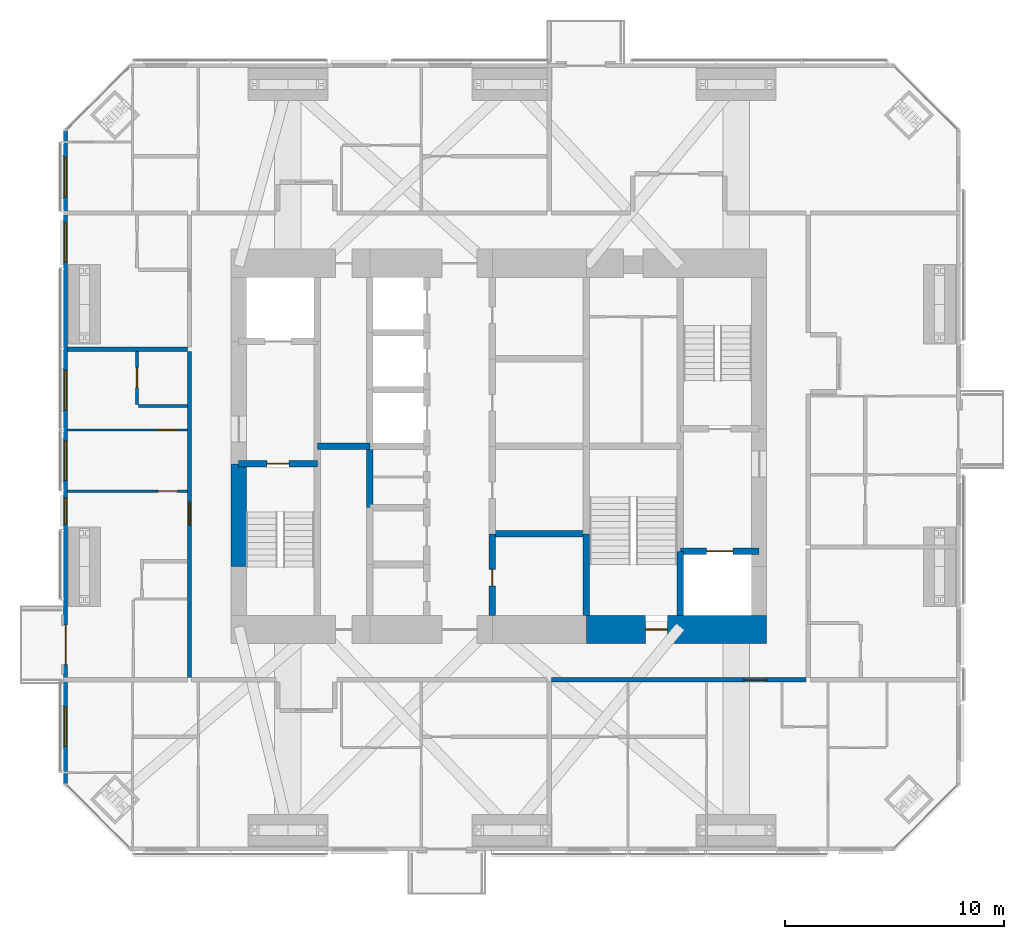
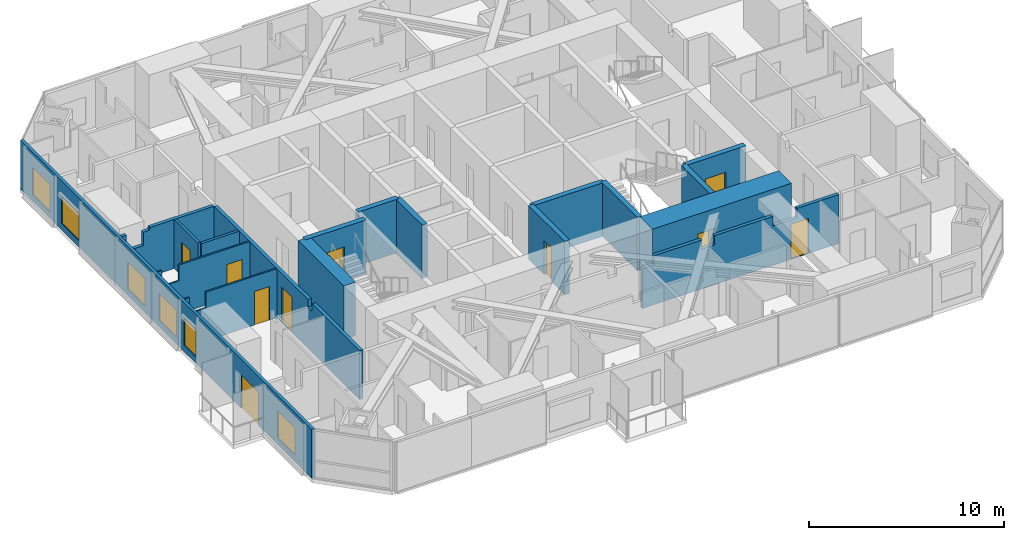
# One storey, part 17 of 22: 18 walls, 10 doors, 6 windows, 16 openings.
"""IFC4 building model written with IfcOpenShell, lengths in metres."""

import ifcopenshell
import ifcopenshell.guid

model = None  # the IFC model being written
_history = None  # IfcOwnerHistory: only IFC2X3 demands one
_inside = {}  # id of a spatial element -> (the spatial element, [elements in it])
_under = {}  # id of a project, library or spatial element -> (it, [spatial elements below it])
_declared = {}  # id of a project -> (the project, [libraries it declares])
_typed = {}  # id of a type object -> (the type object, [elements of that type])
_made_of = {}  # id of a material, layer set ... -> (it, [elements and type objects made of it])


def new_model(schema):
    """Start an empty IFC model of exactly this schema.

    Asked for "IFC4X3", IfcOpenShell would pick the latest addendum, in which some entities
    have other attributes; the version numbers below select the first issue.
    IFC2X3 requires an IfcOwnerHistory on every rooted entity: one is made here for all.
    """
    global model, _history
    if schema == "IFC4X3":
        model = ifcopenshell.file(schema_version=(4, 3, 0, 0))
    else:
        model = ifcopenshell.file(schema=schema)
    _inside.clear()
    _under.clear()
    _declared.clear()
    _typed.clear()
    _made_of.clear()
    _history = None
    if model.schema == "IFC2X3":
        org = make("IfcOrganization", Name="unknown")
        user = make(
            "IfcPersonAndOrganization",
            ThePerson=make("IfcPerson", FamilyName="unknown"),
            TheOrganization=org,
        )
        app = make(
            "IfcApplication",
            ApplicationDeveloper=org,
            Version="unknown",
            ApplicationFullName="unknown",
            ApplicationIdentifier="unknown",
        )
        _history = make(
            "IfcOwnerHistory",
            OwningUser=user,
            OwningApplication=app,
            ChangeAction="ADDED",
            CreationDate=0,
        )
    return model


def make(cls, **values):
    """One entity of the class cls with the attributes given. An attribute that is None is left unset."""
    return model.create_entity(
        cls, **{name: value for name, value in values.items() if value is not None}
    )


def rooted(cls, **values):
    """An entity with a GlobalId (a new one), such as an element, a storey or a relation."""
    return make(cls, GlobalId=ifcopenshell.guid.new(), OwnerHistory=_history, **values)


def si_unit(unit_type, name, prefix=None):
    """IfcSIUnit, for example si_unit("LENGTHUNIT", "METRE", prefix="MILLI")."""
    return make("IfcSIUnit", UnitType=unit_type, Prefix=prefix, Name=name)


def assignment(units):
    """IfcUnitAssignment: the units of a project."""
    return None if units is None else make("IfcUnitAssignment", Units=units)


def point(xyz):
    """IfcCartesianPoint."""
    return None if xyz is None else make("IfcCartesianPoint", Coordinates=xyz)


def direction(xyz):
    """IfcDirection."""
    return None if xyz is None else make("IfcDirection", DirectionRatios=xyz)


def frame(location, z_axis=None, x_axis=None):
    """IfcAxis2Placement3D, a coordinate frame: its origin and axes. An axis left out is left unset."""
    return make(
        "IfcAxis2Placement3D",
        Location=point(location),
        Axis=direction(z_axis),
        RefDirection=direction(x_axis),
    )


def frame_2d(location, x_axis=None):
    """IfcAxis2Placement2D, a coordinate frame in the plane: its origin and x axis."""
    return make(
        "IfcAxis2Placement2D", Location=point(location), RefDirection=direction(x_axis)
    )


def origin():
    """The frame at (0, 0, 0) with its axes left unset."""
    return frame((0.0, 0.0, 0.0))


def place(relative_to, where):
    """IfcLocalPlacement: puts the frame where relative to a parent placement (None: the world)."""
    return make(
        "IfcLocalPlacement", PlacementRelTo=relative_to, RelativePlacement=where
    )


def context(
    kind, dimensions, precision=None, world=None, true_north=None, identifier=None
):
    """IfcGeometricRepresentationContext, for example the 3D "Model" context."""
    return make(
        "IfcGeometricRepresentationContext",
        ContextIdentifier=identifier,
        ContextType=kind,
        CoordinateSpaceDimension=dimensions,
        Precision=precision,
        WorldCoordinateSystem=world,
        TrueNorth=true_north,
    )


def subcontext(parent, identifier, kind, view, scale=None):
    """IfcGeometricRepresentationSubContext, for example "Body" below "Model"."""
    return make(
        "IfcGeometricRepresentationSubContext",
        ContextIdentifier=identifier,
        ContextType=kind,
        ParentContext=parent,
        TargetScale=scale,
        TargetView=view,
    )


def project(units=None, contexts=None):
    """IfcProject with its units and contexts."""
    return rooted(
        "IfcProject",
        Name="project",
        RepresentationContexts=contexts,
        UnitsInContext=assignment(units),
    )


def spatial(cls, under=None, at=None, **own):
    """A site, building, storey or space (cls), placed at a placement, below another one or the project."""
    s = rooted(cls, ObjectPlacement=at, **own)
    if under is not None:
        _under.setdefault(under.id(), (under, []))[1].append(s)
    return s


def polyline(points):
    """IfcPolyline through the points."""
    return make("IfcPolyline", Points=[point(p) for p in points])


def profile(cls, at=None, kind="AREA", **sizes):
    """A parametric profile (cls). Its sizes go by their IFC names, for example OverallWidth=200.0."""
    return make(cls, ProfileType=kind, Position=at, **sizes)


def rectangle(**sizes):
    """IfcRectangleProfileDef."""
    return profile("IfcRectangleProfileDef", **sizes)


def outline(outer, holes=None, kind="AREA"):
    """IfcArbitraryClosedProfileDef: a profile drawn as a closed curve; with holes, ...WithVoids."""
    if holes is None:
        return make("IfcArbitraryClosedProfileDef", ProfileType=kind, OuterCurve=outer)
    return make(
        "IfcArbitraryProfileDefWithVoids",
        ProfileType=kind,
        OuterCurve=outer,
        InnerCurves=holes,
    )


def extrude(swept, where, along, depth):
    """IfcExtrudedAreaSolid: the profile swept, set in the frame where, extruded along a direction by depth."""
    return make(
        "IfcExtrudedAreaSolid",
        SweptArea=swept,
        Position=where,
        ExtrudedDirection=direction(along),
        Depth=depth,
    )


def shape(context_of_items, identifier, shape_type, items):
    """IfcShapeRepresentation: the items that make up one representation, for example the "Body"."""
    return make(
        "IfcShapeRepresentation",
        ContextOfItems=context_of_items,
        RepresentationIdentifier=identifier,
        RepresentationType=shape_type,
        Items=items,
    )


def material(Name=None, Category=None):
    """IfcMaterial."""
    return make("IfcMaterial", Name=Name, Category=Category)


def layer(
    of_material, thickness, ventilated=None, Name=None, Category=None, Priority=None
):
    """IfcMaterialLayer: one layer of a wall or slab, of a material (None: an air gap)."""
    return make(
        "IfcMaterialLayer",
        Material=of_material,
        LayerThickness=thickness,
        IsVentilated=ventilated,
        Name=Name,
        Category=Category,
        Priority=Priority,
    )


def layer_set(layers, Name=None):
    """IfcMaterialLayerSet."""
    return make("IfcMaterialLayerSet", MaterialLayers=layers, LayerSetName=Name)


def constituent(of_material, Name=None, Category=None, fraction=None):
    """IfcMaterialConstituent: one of the materials an element consists of."""
    return make(
        "IfcMaterialConstituent",
        Name=Name,
        Material=of_material,
        Fraction=fraction,
        Category=Category,
    )


def constituent_set(constituents=None, Name=None):
    """IfcMaterialConstituentSet."""
    return make(
        "IfcMaterialConstituentSet", Name=Name, MaterialConstituents=constituents
    )


def made_of(thing, what):
    """Note that an element or type object is made of a material, layer set ...; save() writes the relation."""
    if what is not None:
        _made_of.setdefault(what.id(), (what, []))[1].append(thing)
    return thing


def type_object(cls, material=None, **own):
    """A type object (cls), such as IfcWallType, which elements share."""
    return made_of(rooted(cls, **own), material)


def element(
    cls,
    number,
    at=None,
    inside=None,
    cuts=None,
    type_object=None,
    material=None,
    context=None,
    identifier="Body",
    shape_type=None,
    held_by="IfcProductDefinitionShape",
    body=None,
    shapes=None,
    **own,
):
    """One element of the class cls, such as IfcWall. Its Tag is "e" and its number.

    at: its placement. inside: the storey or other place that contains it. cuts: it is an
    opening in that element (IfcRelVoidsElement). A single representation is given by context,
    identifier, shape_type and body (its items); several are given by shapes. held_by: the class
    of the entity that holds the representations. save() writes the other relations.
    """
    e = rooted(cls, Tag="e%d" % number, ObjectPlacement=at, **own)
    if body is not None:
        shapes = [shape(context, identifier, shape_type, body)]
    if shapes is not None:
        e.Representation = make(held_by, Representations=shapes)
    if inside is not None:
        _inside.setdefault(inside.id(), (inside, []))[1].append(e)
    if cuts is not None:
        rooted(
            "IfcRelVoidsElement", RelatingBuildingElement=cuts, RelatedOpeningElement=e
        )
    if type_object is not None:
        _typed.setdefault(type_object.id(), (type_object, []))[1].append(e)
    return made_of(e, material)


def fill(opening, filler):
    """IfcRelFillsElement: the door or window that sits in an opening."""
    return rooted(
        "IfcRelFillsElement",
        RelatingOpeningElement=opening,
        RelatedBuildingElement=filler,
    )


def aggregate(whole, parts):
    """IfcRelAggregates: a whole, such as a stair, and the parts it consists of."""
    return rooted("IfcRelAggregates", RelatingObject=whole, RelatedObjects=parts)


def save(model, path):
    """Write the relations noted so far, then the file.

    IfcRelAggregates (storeys below a building ...), IfcRelContainedInSpatialStructure (elements
    in a storey), IfcRelDefinesByType, IfcRelAssociatesMaterial and IfcRelDeclares: one each for
    every whole, place, type object, material and project.
    """
    for whole, parts in _under.values():
        aggregate(whole, parts)
    for where, things in _inside.values():
        rooted(
            "IfcRelContainedInSpatialStructure",
            RelatedElements=things,
            RelatingStructure=where,
        )
    for kind, things in _typed.values():
        rooted("IfcRelDefinesByType", RelatedObjects=things, RelatingType=kind)
    for what, things in _made_of.values():
        rooted("IfcRelAssociatesMaterial", RelatedObjects=things, RelatingMaterial=what)
    for by, libraries in _declared.values():
        rooted("IfcRelDeclares", RelatingContext=by, RelatedDefinitions=libraries)
    model.write(path)


model = new_model("IFC4")

# Units and contexts
model_context = context("Model", 3, precision=1e-05, world=origin(), true_north=direction((0.0, 1.0)))
body_context = subcontext(model_context, "Body", "Model", "MODEL_VIEW")
ifc_project = project(units=[si_unit("LENGTHUNIT", "METRE"), si_unit("AREAUNIT", "SQUARE_METRE"), si_unit("VOLUMEUNIT", "CUBIC_METRE"), si_unit("PLANEANGLEUNIT", "RADIAN"), si_unit("MASSUNIT", "GRAM", prefix="KILO")], contexts=[model_context])

# Site, building, storey
site_placement = place(None, origin())
site = spatial("IfcSite", under=ifc_project, at=site_placement, CompositionType="ELEMENT")
building_placement = place(site_placement, origin())
building = spatial("IfcBuilding", under=site, at=building_placement, Name="Jalousie Tower", CompositionType="ELEMENT")
storey_placement = place(building_placement, frame((0.0, 0.0, 204.60009765625)))
storey = spatial("IfcBuildingStorey", under=building, at=storey_placement, Name="L56", CompositionType="ELEMENT", Elevation=204.60009765625)

# Wall, opening, door
ifc_material_1 = material(Name="Concrete block ASTM C90", Category="concrete")
ifc_constituent_1 = constituent(ifc_material_1, Name="Body")
ifc_material_2 = material(Name="Render")
ifc_constituent_2 = constituent(ifc_material_2, Name="Finish")
ifc_constituent_set_1 = constituent_set(constituents=[ifc_constituent_1, ifc_constituent_2])
wall_type_1 = type_object("IfcWallType", Name="BATHROOM WALL 150", PredefinedType="PLUMBINGWALL", material=ifc_constituent_set_1)
wall_1_placement = place(storey_placement, frame((15.35009765625, 20.425048828125, 0.0), z_axis=(0.0, 0.0, 1.0), x_axis=(0.0, 1.0, 0.0)))
wall_1 = element("IfcWall", 1, at=wall_1_placement, inside=storey, type_object=wall_type_1, Name="Bathroom Wall 150 L56", PredefinedType="PLUMBINGWALL", context=body_context, shape_type="SweptSolid", body=[
    extrude(rectangle(XDim=2.425048828125, YDim=0.14990234375, at=frame_2d((1.21240234375, 0.0))), origin(), (0.0, 0.0, 1.0), 3.06982421875),
])
opening_1_placement = place(wall_1_placement, frame((0.77490234375, 0.0, 0.0)))
opening_1 = element("IfcOpeningElement", 2, at=opening_1_placement, cuts=wall_1, Name="Opening D3", PredefinedType="OPENING", context=body_context, shape_type="SweptSolid", body=[
    extrude(rectangle(XDim=0.89990234375, YDim=2.10009765625, at=frame_2d((0.449951171875, 1.050048828125))), frame((0.0, 0.0849609375, 0.0), z_axis=(0.0, -1.0, 0.0), x_axis=(1.0, 0.0, 0.0)), (0.0, 0.0, 1.0), 0.169921875),
])
ifc_material_3 = material(Name="Timber door", Category="wood")
door_type_1 = type_object("IfcDoorType", Name="BATHROOM DOOR 900", OperationType="SINGLE_SWING_LEFT", PredefinedType="DOOR", material=ifc_material_3)
door_1_placement = place(opening_1_placement, frame((0.89990234375, 0.0, 0.0), z_axis=(0.0, 0.0, 1.0), x_axis=(-1.0, 0.0, 0.0)))
door_1 = element("IfcDoor", 3, at=door_1_placement, inside=storey, type_object=door_type_1, Name="Apartment 5604 bathroom door", OperationType="SINGLE_SWING_LEFT", OverallHeight=2.10009765625, OverallWidth=0.89990234375, PredefinedType="DOOR", context=body_context, shape_type="SweptSolid", body=[
    extrude(rectangle(XDim=0.89990234375, YDim=2.10009765625, at=frame_2d((0.449951171875, 1.050048828125))), frame((0.0, 0.02490234375, 0.0), z_axis=(0.0, -1.0, 0.0), x_axis=(1.0, 0.0, 0.0)), (0.0, 0.0, 1.0), 0.050048828125),
])
fill(opening_1, door_1)

# Wall
wall_2_placement = place(storey_placement, frame((15.425048828125, 20.35009765625, 0.0), z_axis=(0.0, 0.0, 1.0), x_axis=(1.0, 0.0, 0.0)))
element("IfcWall", 4, at=wall_2_placement, inside=storey, type_object=wall_type_1, Name="Bathroom Wall 150 L56", PredefinedType="PLUMBINGWALL", context=body_context, shape_type="SweptSolid", body=[
    extrude(rectangle(XDim=2.224853515625, YDim=0.14990234375, at=frame_2d((1.1123046875, 0.0))), origin(), (0.0, 0.0, 1.0), 3.06982421875),
])

# Wall, opening, door
ifc_material_4 = material(Name="Concrete f'c 120 MPa", Category="concrete")
ifc_layer_1 = layer(ifc_material_4, 1.300048828125)
ifc_layer_set_1 = layer_set([ifc_layer_1], Name="Concrete f'c 120 MPa")
wall_type_2 = type_object("IfcWallType", Name="CORE WALL 1300", PredefinedType="SHEAR", material=ifc_layer_set_1)
wall_3_placement = place(storey_placement, frame((35.89990234375, 10.125, 0.0), z_axis=(0.0, 0.0, 1.0), x_axis=(1.0, 0.0, 0.0)))
wall_3 = element("IfcWall", 5, at=wall_3_placement, inside=storey, type_object=wall_type_2, Name="Core wall SD L56", PredefinedType="SHEAR", context=body_context, shape_type="SweptSolid", body=[
    extrude(rectangle(XDim=8.25, YDim=1.300048828125, at=frame_2d((4.125, 0.0))), origin(), (0.0, 0.0, 1.0), 3.349853515625),
])
opening_2_placement = place(wall_3_placement, frame((2.699951171875, 0.0, 0.0)))
opening_2 = element("IfcOpeningElement", 6, at=opening_2_placement, cuts=wall_3, Name="Opening D10", PredefinedType="OPENING", context=body_context, shape_type="SweptSolid", body=[
    extrude(rectangle(XDim=1.0, YDim=2.10009765625, at=frame_2d((0.5, 1.050048828125))), frame((0.0, 0.659912109375, 0.0), z_axis=(0.0, -1.0, 0.0), x_axis=(1.0, 0.0, 0.0)), (0.0, 0.0, 1.0), 1.320068359375),
])
ifc_material_5 = material(Name="Steel fire door", Category="steel")
door_type_2 = type_object("IfcDoorType", Name="STAIR DOOR 1000", OperationType="SINGLE_SWING_LEFT", PredefinedType="DOOR", material=ifc_material_5)
door_2_placement = place(opening_2_placement, origin())
door_2 = element("IfcDoor", 7, at=door_2_placement, inside=storey, type_object=door_type_2, Name="Exit stair C door", OperationType="SINGLE_SWING_RIGHT", OverallHeight=2.10009765625, OverallWidth=1.0, PredefinedType="DOOR", context=body_context, shape_type="SweptSolid", body=[
    extrude(rectangle(XDim=1.0, YDim=2.10009765625, at=frame_2d((0.5, 1.050048828125))), frame((0.0, 0.02490234375, 0.0), z_axis=(0.0, -1.0, 0.0), x_axis=(1.0, 0.0, 0.0)), (0.0, 0.0, 1.0), 0.050048828125),
])
fill(opening_2, door_2)

# Wall
ifc_material_6 = material(Name="Concrete f'c 120 MPa", Category="concrete")
ifc_layer_2 = layer(ifc_material_6, 0.300048828125)
ifc_layer_set_2 = layer_set([ifc_layer_2], Name="Concrete f'c 120 MPa")
wall_type_3 = type_object("IfcWallType", Name="CORE WALL 300", PredefinedType="SHEAR", material=ifc_layer_set_2)
wall_4_placement = place(storey_placement, frame((26.0, 15.699951171875, 0.0), z_axis=(0.0, 0.0, 1.0), x_axis=(0.0, 1.0, 0.0)))
element("IfcWall", 8, at=wall_4_placement, inside=storey, type_object=wall_type_3, Name="Core wall X26C L56", PredefinedType="SHEAR", context=body_context, shape_type="SweptSolid", body=[
    extrude(rectangle(XDim=2.800048828125, YDim=0.300048828125, at=frame_2d((1.39990234375, 0.0))), origin(), (0.0, 0.0, 1.0), 3.349853515625),
])

# Wall, opening, door
wall_5_placement = place(storey_placement, frame((31.60009765625, 10.77490234375, 0.0), z_axis=(0.0, 0.0, 1.0), x_axis=(0.0, 1.0, 0.0)))
wall_5 = element("IfcWall", 9, at=wall_5_placement, inside=storey, type_object=wall_type_3, Name="Core wall X31.6A L56", PredefinedType="SHEAR", context=body_context, shape_type="SweptSolid", body=[
    extrude(rectangle(XDim=3.72509765625, YDim=0.300048828125, at=frame_2d((1.862548828125, 0.0))), origin(), (0.0, 0.0, 1.0), 3.349853515625),
])
opening_3_placement = place(wall_5_placement, frame((1.35009765625, 0.0, 0.0)))
opening_3 = element("IfcOpeningElement", 10, at=opening_3_placement, cuts=wall_5, Name="Opening D16", PredefinedType="OPENING", context=body_context, shape_type="SweptSolid", body=[
    extrude(rectangle(XDim=0.75, YDim=2.10009765625, at=frame_2d((0.375, 1.050048828125))), frame((0.0, 0.159912109375, 0.0), z_axis=(0.0, -1.0, 0.0), x_axis=(1.0, 0.0, 0.0)), (0.0, 0.0, 1.0), 0.320068359375),
])
ifc_material_7 = material(Name="Steel fire door", Category="steel")
door_type_3 = type_object("IfcDoorType", Name="RISER DOOR 750", OperationType="SINGLE_SWING_LEFT", PredefinedType="DOOR", material=ifc_material_7)
door_3_placement = place(opening_3_placement, frame((0.75, 0.0, 0.0), z_axis=(0.0, 0.0, 1.0), x_axis=(-1.0, 0.0, 0.0)))
door_3 = element("IfcDoor", 11, at=door_3_placement, inside=storey, type_object=door_type_3, Name="Refuse Room door", OperationType="SINGLE_SWING_RIGHT", OverallHeight=2.10009765625, OverallWidth=0.75, PredefinedType="DOOR", context=body_context, shape_type="SweptSolid", body=[
    extrude(rectangle(XDim=0.75, YDim=2.10009765625, at=frame_2d((0.375, 1.050048828125))), frame((0.0, 0.02490234375, 0.0), z_axis=(0.0, -1.0, 0.0), x_axis=(1.0, 0.0, 0.0)), (0.0, 0.0, 1.0), 0.050048828125),
])
fill(opening_3, door_3)

# Walls
wall_6_placement = place(storey_placement, frame((35.89990234375, 10.77490234375, 0.0), z_axis=(0.0, 0.0, 1.0), x_axis=(0.0, 1.0, 0.0)))
element("IfcWall", 12, at=wall_6_placement, inside=storey, type_object=wall_type_3, Name="Core wall X35.9A L56", PredefinedType="SHEAR", context=body_context, shape_type="SweptSolid", body=[
    extrude(rectangle(XDim=3.72509765625, YDim=0.300048828125, at=frame_2d((1.862548828125, 0.0))), origin(), (0.0, 0.0, 1.0), 3.349853515625),
])
wall_7_placement = place(storey_placement, frame((40.199951171875, 10.77490234375, 0.0), z_axis=(0.0, 0.0, 1.0), x_axis=(0.0, 1.0, 0.0)))
element("IfcWall", 13, at=wall_7_placement, inside=storey, type_object=wall_type_3, Name="Core wall X40.2A L56", PredefinedType="SHEAR", context=body_context, shape_type="SweptSolid", body=[
    extrude(rectangle(XDim=2.925048828125, YDim=0.300048828125, at=frame_2d((1.46240234375, 0.0))), origin(), (0.0, 0.0, 1.0), 3.349853515625),
])

# Wall, opening, door
wall_8_placement = place(storey_placement, frame((20.0, 17.699951171875, 0.0), z_axis=(0.0, 0.0, 1.0), x_axis=(1.0, 0.0, 0.0)))
wall_8 = element("IfcWall", 14, at=wall_8_placement, inside=storey, type_object=wall_type_3, Name="Core wall Y20-17.7 L56", PredefinedType="SHEAR", context=body_context, shape_type="SweptSolid", body=[
    extrude(rectangle(XDim=3.60009765625, YDim=0.300048828125, at=frame_2d((1.800048828125, 0.0))), origin(), (0.0, 0.0, 1.0), 3.349853515625),
])
opening_4_placement = place(wall_8_placement, frame((1.300048828125, 0.0, 0.0)))
opening_4 = element("IfcOpeningElement", 15, at=opening_4_placement, cuts=wall_8, Name="Opening D10", PredefinedType="OPENING", context=body_context, shape_type="SweptSolid", body=[
    extrude(rectangle(XDim=1.0, YDim=2.10009765625, at=frame_2d((0.5, 1.050048828125))), frame((0.0, 0.159912109375, 0.0), z_axis=(0.0, -1.0, 0.0), x_axis=(1.0, 0.0, 0.0)), (0.0, 0.0, 1.0), 0.320068359375),
])
door_4_placement = place(opening_4_placement, frame((1.0, 0.0, 0.0), z_axis=(0.0, 0.0, 1.0), x_axis=(-1.0, 0.0, 0.0)))
door_4 = element("IfcDoor", 16, at=door_4_placement, inside=storey, type_object=door_type_2, Name="Exit stair A door", OperationType="SINGLE_SWING_RIGHT", OverallHeight=2.10009765625, OverallWidth=1.0, PredefinedType="DOOR", context=body_context, shape_type="SweptSolid", body=[
    extrude(rectangle(XDim=1.0, YDim=2.10009765625, at=frame_2d((0.5, 1.050048828125))), frame((0.0, 0.02490234375, 0.0), z_axis=(0.0, -1.0, 0.0), x_axis=(1.0, 0.0, 0.0)), (0.0, 0.0, 1.0), 0.050048828125),
])
fill(opening_4, door_4)

# Walls
wall_9_placement = place(storey_placement, frame((23.60009765625, 18.5, 0.0), z_axis=(0.0, 0.0, 1.0), x_axis=(1.0, 0.0, 0.0)))
element("IfcWall", 17, at=wall_9_placement, inside=storey, type_object=wall_type_3, Name="Core wall Y23.6-18.5 L56", PredefinedType="SHEAR", context=body_context, shape_type="SweptSolid", body=[
    extrude(rectangle(XDim=2.39990234375, YDim=0.300048828125, at=frame_2d((1.199951171875, 0.0))), origin(), (0.0, 0.0, 1.0), 3.349853515625),
])
wall_10_placement = place(storey_placement, frame((31.60009765625, 14.5, 0.0), z_axis=(0.0, 0.0, 1.0), x_axis=(1.0, 0.0, 0.0)))
element("IfcWall", 18, at=wall_10_placement, inside=storey, type_object=wall_type_3, Name="Core wall Y31.6-14.5 L56", PredefinedType="SHEAR", context=body_context, shape_type="SweptSolid", body=[
    extrude(rectangle(XDim=4.2998046875, YDim=0.300048828125, at=frame_2d((2.14990234375, 0.0))), origin(), (0.0, 0.0, 1.0), 3.349853515625),
])

# Wall, opening, door
wall_11_placement = place(storey_placement, frame((40.199951171875, 13.699951171875, 0.0), z_axis=(0.0, 0.0, 1.0), x_axis=(1.0, 0.0, 0.0)))
wall_11 = element("IfcWall", 19, at=wall_11_placement, inside=storey, type_object=wall_type_3, Name="Core wall Y40.2-13.7 L56", PredefinedType="SHEAR", context=body_context, shape_type="SweptSolid", body=[
    extrude(rectangle(XDim=3.60009765625, YDim=0.300048828125, at=frame_2d((1.800048828125, 0.0))), origin(), (0.0, 0.0, 1.0), 3.349853515625),
])
opening_5_placement = place(wall_11_placement, frame((1.199951171875, 0.0, 0.0)))
opening_5 = element("IfcOpeningElement", 20, at=opening_5_placement, cuts=wall_11, Name="Opening LD2", PredefinedType="OPENING", context=body_context, shape_type="SweptSolid", body=[
    extrude(rectangle(XDim=1.199951171875, YDim=2.10009765625, at=frame_2d((0.60009765625, 1.050048828125))), frame((0.0, 0.159912109375, 0.0), z_axis=(0.0, -1.0, 0.0), x_axis=(1.0, 0.0, 0.0)), (0.0, 0.0, 1.0), 0.320068359375),
])
ifc_material_8 = material(Name="Steel lift landing door", Category="steel")
door_type_4 = type_object("IfcDoorType", Name="LIFT LANDING DOOR 1200", OperationType="SLIDING_TO_LEFT", PredefinedType="DOOR", material=ifc_material_8)
door_5_placement = place(opening_5_placement, origin())
door_5 = element("IfcDoor", 21, at=door_5_placement, inside=storey, type_object=door_type_4, Name="Lift F2 landing door", OperationType="SLIDING_TO_LEFT", OverallHeight=2.10009765625, OverallWidth=1.199951171875, PredefinedType="DOOR", context=body_context, shape_type="SweptSolid", body=[
    extrude(rectangle(XDim=1.199951171875, YDim=2.10009765625, at=frame_2d((0.60009765625, 1.050048828125))), frame((0.0, 0.02490234375, 0.0), z_axis=(0.0, -1.0, 0.0), x_axis=(1.0, 0.0, 0.0)), (0.0, 0.0, 1.0), 0.050048828125),
])
fill(opening_5, door_5)

# Wall
ifc_material_9 = material(Name="Concrete f'c 120 MPa", Category="concrete")
ifc_layer_3 = layer(ifc_material_9, 0.699951171875)
ifc_layer_set_3 = layer_set([ifc_layer_3], Name="Concrete f'c 120 MPa")
wall_type_4 = type_object("IfcWallType", Name="CORE WALL 700", PredefinedType="SHEAR", material=ifc_layer_set_3)
wall_12_placement = place(storey_placement, frame((20.0, 17.699951171875, 0.0), z_axis=(0.0, 0.0, 1.0), x_axis=(0.0, -1.0, 0.0)))
element("IfcWall", 22, at=wall_12_placement, inside=storey, type_object=wall_type_4, Name="Core wall WC L56", PredefinedType="SHEAR", context=body_context, shape_type="SweptSolid", body=[
    extrude(rectangle(XDim=4.699951171875, YDim=0.699951171875, at=frame_2d((2.35009765625, 0.0))), origin(), (0.0, 0.0, 1.0), 3.349853515625),
])

# Wall, opening, door
ifc_material_10 = material(Name="Concrete block ASTM C90", Category="concrete")
ifc_constituent_3 = constituent(ifc_material_10, Name="Body")
ifc_material_11 = material(Name="Render")
ifc_constituent_4 = constituent(ifc_material_11, Name="Finish")
ifc_constituent_set_2 = constituent_set(constituents=[ifc_constituent_3, ifc_constituent_4])
wall_type_5 = type_object("IfcWallType", Name="CORRIDOR WALL 200", PredefinedType="PARTITIONING", material=ifc_constituent_set_2)
wall_13_placement = place(storey_placement, frame((34.300048828125, 7.824951171875, 0.0), z_axis=(0.0, 0.0, 1.0), x_axis=(1.0, 0.0, 0.0)))
wall_13 = element("IfcWall", 23, at=wall_13_placement, inside=storey, type_object=wall_type_5, Name="Corridor Wall 200 L56", PredefinedType="PARTITIONING", context=body_context, shape_type="SweptSolid", body=[
    extrude(outline(polyline([(0.0, 0.0), (11.64990234375, 0.0), (11.64990234375, 3.06982421875), (9.159912109375, 3.06982421875), (9.159912109375, 2.469970703125), (7.739990234375, 2.469970703125), (7.739990234375, 3.06982421875), (4.28173828125, 3.06982421875), (4.28173828125, 2.49072265625), (3.502685546875, 2.49072265625), (3.502685546875, 3.06982421875), (0.696044921875, 3.06982421875), (0.696044921875, 2.49072265625), (0.0, 2.49072265625), (0.0, 0.0)])), frame((0.0, 0.10009765625, 0.0), z_axis=(0.0, -1.0, 0.0), x_axis=(1.0, 0.0, 0.0)), (0.0, 0.0, 1.0), 0.199951171875),
])
opening_6_placement = place(wall_13_placement, frame((8.800048828125, 0.0, 0.0)))
opening_6 = element("IfcOpeningElement", 24, at=opening_6_placement, cuts=wall_13, Name="Opening D1", PredefinedType="OPENING", context=body_context, shape_type="SweptSolid", body=[
    extrude(rectangle(XDim=1.050048828125, YDim=2.199951171875, at=frame_2d((0.52490234375, 1.10009765625))), frame((0.0, 0.10986328125, 0.0), z_axis=(0.0, -1.0, 0.0), x_axis=(1.0, 0.0, 0.0)), (0.0, 0.0, 1.0), 0.219970703125),
])
ifc_material_12 = material(Name="Timber fire door", Category="wood")
door_type_5 = type_object("IfcDoorType", Name="APARTMENT ENTRANCE DOOR 1050", OperationType="SINGLE_SWING_LEFT", PredefinedType="DOOR", material=ifc_material_12)
door_6_placement = place(opening_6_placement, frame((1.050048828125, 0.0, 0.0), z_axis=(0.0, 0.0, 1.0), x_axis=(-1.0, 0.0, 0.0)))
door_6 = element("IfcDoor", 25, at=door_6_placement, inside=storey, type_object=door_type_5, Name="Apartment 5602 entrance", OperationType="SINGLE_SWING_LEFT", OverallHeight=2.199951171875, OverallWidth=1.050048828125, PredefinedType="DOOR", context=body_context, shape_type="SweptSolid", body=[
    extrude(rectangle(XDim=1.050048828125, YDim=2.199951171875, at=frame_2d((0.52490234375, 1.10009765625))), frame((0.0, 0.02490234375, 0.0), z_axis=(0.0, -1.0, 0.0), x_axis=(1.0, 0.0, 0.0)), (0.0, 0.0, 1.0), 0.050048828125),
])
fill(opening_6, door_6)

wall_14_placement = place(storey_placement, frame((17.75, 7.925048828125, 0.0), z_axis=(0.0, 0.0, 1.0), x_axis=(0.0, 1.0, 0.0)))
wall_14 = element("IfcWall", 26, at=wall_14_placement, inside=storey, type_object=wall_type_5, Name="Corridor Wall 200 L56", PredefinedType="PARTITIONING", context=body_context, shape_type="SweptSolid", body=[
    extrude(outline(polyline([(0.0, 0.0), (14.925048828125, 0.0), (14.925048828125, 3.06982421875), (5.287109375, 3.06982421875), (5.287109375, 2.594970703125), (4.86279296875, 2.594970703125), (4.86279296875, 3.06982421875), (0.0, 3.06982421875), (0.0, 0.0)])), frame((0.0, 0.10009765625, 0.0), z_axis=(0.0, -1.0, 0.0), x_axis=(1.0, 0.0, 0.0)), (0.0, 0.0, 1.0), 0.199951171875),
])
opening_7_placement = place(wall_14_placement, frame((6.96240234375, 0.0, 0.0)))
opening_7 = element("IfcOpeningElement", 27, at=opening_7_placement, cuts=wall_14, Name="Opening D1", PredefinedType="OPENING", context=body_context, shape_type="SweptSolid", body=[
    extrude(rectangle(XDim=1.050048828125, YDim=2.199951171875, at=frame_2d((0.52490234375, 1.10009765625))), frame((0.0, 0.10986328125, 0.0), z_axis=(0.0, -1.0, 0.0), x_axis=(1.0, 0.0, 0.0)), (0.0, 0.0, 1.0), 0.219970703125),
])
door_7_placement = place(opening_7_placement, origin())
door_7 = element("IfcDoor", 28, at=door_7_placement, inside=storey, type_object=door_type_5, Name="Apartment 5604 entrance", OperationType="SINGLE_SWING_RIGHT", OverallHeight=2.199951171875, OverallWidth=1.050048828125, PredefinedType="DOOR", context=body_context, shape_type="SweptSolid", body=[
    extrude(rectangle(XDim=1.050048828125, YDim=2.199951171875, at=frame_2d((0.52490234375, 1.10009765625))), frame((0.0, 0.02490234375, 0.0), z_axis=(0.0, -1.0, 0.0), x_axis=(1.0, 0.0, 0.0)), (0.0, 0.0, 1.0), 0.050048828125),
])
fill(opening_7, door_7)

# Wall, openings, door, windows
ifc_material_13 = material(Name="Concrete f'c 40 MPa", Category="concrete")
ifc_constituent_5 = constituent(ifc_material_13, Name="Body")
ifc_material_14 = material(Name="Render, pastel lemon")
ifc_constituent_6 = constituent(ifc_material_14, Name="Finish")
ifc_constituent_set_3 = constituent_set(constituents=[ifc_constituent_5, ifc_constituent_6])
wall_type_6 = type_object("IfcWallType", Name="EXTERNAL WALL 175 LEMON RENDER", PredefinedType="SOLIDWALL", material=ifc_constituent_set_3)
wall_15_placement = place(storey_placement, frame((12.08740234375, 32.94873046875, 0.0), z_axis=(0.0, 0.0, 1.0), x_axis=(0.0, -1.0, 0.0)))
wall_15 = element("IfcWall", 29, at=wall_15_placement, inside=storey, type_object=wall_type_6, Name="External Wall 175 Lemon Render L56", PredefinedType="SOLIDWALL", context=body_context, shape_type="SweptSolid", body=[
    extrude(rectangle(XDim=29.8974609375, YDim=0.175048828125, at=frame_2d((14.94873046875, 0.0))), origin(), (0.0, 0.0, 1.0), 3.06982421875),
])
opening_8_placement = place(wall_15_placement, frame((1.226318359375, 0.0, 0.39990234375)))
opening_8 = element("IfcOpeningElement", 30, at=opening_8_placement, cuts=wall_15, Name="Opening W-BED170", PredefinedType="OPENING", context=body_context, shape_type="SweptSolid", body=[
    extrude(rectangle(XDim=1.800048828125, YDim=1.699951171875, at=frame_2d((0.89990234375, 0.85009765625))), frame((0.0, 0.097412109375, 0.0), z_axis=(0.0, -1.0, 0.0), x_axis=(1.0, 0.0, 0.0)), (0.0, 0.0, 1.0), 0.195068359375),
])
opening_9_placement = place(wall_15_placement, frame((4.2236328125, 0.0, 0.39990234375)))
opening_9 = element("IfcOpeningElement", 31, at=opening_9_placement, cuts=wall_15, Name="Opening W-BED170", PredefinedType="OPENING", context=body_context, shape_type="SweptSolid", body=[
    extrude(rectangle(XDim=1.800048828125, YDim=1.699951171875, at=frame_2d((0.89990234375, 0.85009765625))), frame((0.0, 0.097412109375, 0.0), z_axis=(0.0, -1.0, 0.0), x_axis=(1.0, 0.0, 0.0)), (0.0, 0.0, 1.0), 0.195068359375),
])
opening_10_placement = place(wall_15_placement, frame((10.9736328125, 0.0, 0.39990234375)))
opening_10 = element("IfcOpeningElement", 32, at=opening_10_placement, cuts=wall_15, Name="Opening W-BED170", PredefinedType="OPENING", context=body_context, shape_type="SweptSolid", body=[
    extrude(rectangle(XDim=1.800048828125, YDim=1.699951171875, at=frame_2d((0.89990234375, 0.85009765625))), frame((0.0, 0.097412109375, 0.0), z_axis=(0.0, -1.0, 0.0), x_axis=(1.0, 0.0, 0.0)), (0.0, 0.0, 1.0), 0.195068359375),
])
opening_11_placement = place(wall_15_placement, frame((14.19873046875, 0.0, 0.39990234375)))
opening_11 = element("IfcOpeningElement", 33, at=opening_11_placement, cuts=wall_15, Name="Opening W-BED170", PredefinedType="OPENING", context=body_context, shape_type="SweptSolid", body=[
    extrude(rectangle(XDim=1.800048828125, YDim=1.699951171875, at=frame_2d((0.89990234375, 0.85009765625))), frame((0.0, 0.097412109375, 0.0), z_axis=(0.0, -1.0, 0.0), x_axis=(1.0, 0.0, 0.0)), (0.0, 0.0, 1.0), 0.195068359375),
])
opening_12_placement = place(wall_15_placement, frame((22.623779296875, 0.0, 0.0)))
opening_12 = element("IfcOpeningElement", 34, at=opening_12_placement, cuts=wall_15, Name="Opening D-BAL21", PredefinedType="OPENING", context=body_context, shape_type="SweptSolid", body=[
    extrude(rectangle(XDim=1.800048828125, YDim=2.10009765625, at=frame_2d((0.89990234375, 1.050048828125))), frame((0.0, 0.097412109375, 0.0), z_axis=(0.0, -1.0, 0.0), x_axis=(1.0, 0.0, 0.0)), (0.0, 0.0, 1.0), 0.195068359375),
])
opening_13_placement = place(wall_15_placement, frame((16.799072265625, 0.0, 0.39990234375)))
opening_13 = element("IfcOpeningElement", 35, at=opening_13_placement, cuts=wall_15, Name="Opening W-COR170", PredefinedType="OPENING", context=body_context, shape_type="SweptSolid", body=[
    extrude(rectangle(XDim=1.199951171875, YDim=1.699951171875, at=frame_2d((0.60009765625, 0.85009765625))), frame((0.0, 0.097412109375, 0.0), z_axis=(0.0, -1.0, 0.0), x_axis=(1.0, 0.0, 0.0)), (0.0, 0.0, 1.0), 0.195068359375),
])
opening_14_placement = place(wall_15_placement, frame((26.371337890625, 0.0, 0.39990234375)))
opening_14 = element("IfcOpeningElement", 36, at=opening_14_placement, cuts=wall_15, Name="Opening W-BED170", PredefinedType="OPENING", context=body_context, shape_type="SweptSolid", body=[
    extrude(rectangle(XDim=1.800048828125, YDim=1.699951171875, at=frame_2d((0.89990234375, 0.85009765625))), frame((0.0, 0.097412109375, 0.0), z_axis=(0.0, -1.0, 0.0), x_axis=(1.0, 0.0, 0.0)), (0.0, 0.0, 1.0), 0.195068359375),
])
ifc_material_15 = material(Name="Aluminium frame, impact-rated glazing", Category="aluminium")
door_type_6 = type_object("IfcDoorType", Name="BALCONY DOOR 1800x2100", OperationType="SLIDING_TO_LEFT", PredefinedType="DOOR", material=ifc_material_15)
door_8_placement = place(opening_12_placement, origin())
door_8 = element("IfcDoor", 37, at=door_8_placement, inside=storey, type_object=door_type_6, Name="Apartment 5604 living and dining room balcony door", OperationType="SLIDING_TO_LEFT", OverallHeight=2.10009765625, OverallWidth=1.800048828125, PredefinedType="DOOR", context=body_context, shape_type="SweptSolid", body=[
    extrude(rectangle(XDim=1.800048828125, YDim=2.10009765625, at=frame_2d((0.89990234375, 1.050048828125))), frame((0.0, 0.02490234375, 0.0), z_axis=(0.0, -1.0, 0.0), x_axis=(1.0, 0.0, 0.0)), (0.0, 0.0, 1.0), 0.050048828125),
])
fill(opening_12, door_8)
ifc_material_16 = material(Name="Aluminium frame, impact-rated glazing", Category="aluminium")
window_type_1 = type_object("IfcWindowType", Name="WINDOW BED 1800x1700", PartitioningType="SINGLE_PANEL", PredefinedType="WINDOW", material=ifc_material_16)
window_1_placement = place(opening_8_placement, origin())
window_1 = element("IfcWindow", 38, at=window_1_placement, inside=storey, type_object=window_type_1, Name="Apartment 5603 bedroom 1 window", OverallHeight=1.699951171875, OverallWidth=1.800048828125, PartitioningType="SINGLE_PANEL", PredefinedType="WINDOW", context=body_context, shape_type="SweptSolid", body=[
    extrude(rectangle(XDim=1.800048828125, YDim=1.699951171875, at=frame_2d((0.89990234375, 0.85009765625))), frame((0.0, 0.030029296875, 0.0), z_axis=(0.0, -1.0, 0.0), x_axis=(1.0, 0.0, 0.0)), (0.0, 0.0, 1.0), 0.06005859375),
])
fill(opening_8, window_1)
window_2_placement = place(opening_9_placement, origin())
window_2 = element("IfcWindow", 39, at=window_2_placement, inside=storey, type_object=window_type_1, Name="Apartment 5605 studio kitchen, living and sleeping room window", OverallHeight=1.699951171875, OverallWidth=1.800048828125, PartitioningType="SINGLE_PANEL", PredefinedType="WINDOW", context=body_context, shape_type="SweptSolid", body=[
    extrude(rectangle(XDim=1.800048828125, YDim=1.699951171875, at=frame_2d((0.89990234375, 0.85009765625))), frame((0.0, 0.030029296875, 0.0), z_axis=(0.0, -1.0, 0.0), x_axis=(1.0, 0.0, 0.0)), (0.0, 0.0, 1.0), 0.06005859375),
])
fill(opening_9, window_2)
window_3_placement = place(opening_10_placement, origin())
window_3 = element("IfcWindow", 40, at=window_3_placement, inside=storey, type_object=window_type_1, Name="Apartment 5604 bedroom 1 window", OverallHeight=1.699951171875, OverallWidth=1.800048828125, PartitioningType="SINGLE_PANEL", PredefinedType="WINDOW", context=body_context, shape_type="SweptSolid", body=[
    extrude(rectangle(XDim=1.800048828125, YDim=1.699951171875, at=frame_2d((0.89990234375, 0.85009765625))), frame((0.0, 0.030029296875, 0.0), z_axis=(0.0, -1.0, 0.0), x_axis=(1.0, 0.0, 0.0)), (0.0, 0.0, 1.0), 0.06005859375),
])
fill(opening_10, window_3)
window_4_placement = place(opening_11_placement, origin())
window_4 = element("IfcWindow", 41, at=window_4_placement, inside=storey, type_object=window_type_1, Name="Apartment 5604 bedroom 2 window", OverallHeight=1.699951171875, OverallWidth=1.800048828125, PartitioningType="SINGLE_PANEL", PredefinedType="WINDOW", context=body_context, shape_type="SweptSolid", body=[
    extrude(rectangle(XDim=1.800048828125, YDim=1.699951171875, at=frame_2d((0.89990234375, 0.85009765625))), frame((0.0, 0.030029296875, 0.0), z_axis=(0.0, -1.0, 0.0), x_axis=(1.0, 0.0, 0.0)), (0.0, 0.0, 1.0), 0.06005859375),
])
fill(opening_11, window_4)
window_5_placement = place(opening_14_placement, origin())
window_5 = element("IfcWindow", 42, at=window_5_placement, inside=storey, type_object=window_type_1, Name="Apartment 5601 bedroom 1 window", OverallHeight=1.699951171875, OverallWidth=1.800048828125, PartitioningType="SINGLE_PANEL", PredefinedType="WINDOW", context=body_context, shape_type="SweptSolid", body=[
    extrude(rectangle(XDim=1.800048828125, YDim=1.699951171875, at=frame_2d((0.89990234375, 0.85009765625))), frame((0.0, 0.030029296875, 0.0), z_axis=(0.0, -1.0, 0.0), x_axis=(1.0, 0.0, 0.0)), (0.0, 0.0, 1.0), 0.06005859375),
])
fill(opening_14, window_5)
ifc_material_17 = material(Name="Aluminium frame, impact-rated glazing", Category="aluminium")
window_type_2 = type_object("IfcWindowType", Name="WINDOW COR 1200x1700", PartitioningType="SINGLE_PANEL", PredefinedType="WINDOW", material=ifc_material_17)
window_6_placement = place(opening_13_placement, origin())
window_6 = element("IfcWindow", 43, at=window_6_placement, inside=storey, type_object=window_type_2, Name="Apartment 5604 living and dining room window", OverallHeight=1.699951171875, OverallWidth=1.199951171875, PartitioningType="SINGLE_PANEL", PredefinedType="WINDOW", context=body_context, shape_type="SweptSolid", body=[
    extrude(rectangle(XDim=1.199951171875, YDim=1.699951171875, at=frame_2d((0.60009765625, 0.85009765625))), frame((0.0, 0.030029296875, 0.0), z_axis=(0.0, -1.0, 0.0), x_axis=(1.0, 0.0, 0.0)), (0.0, 0.0, 1.0), 0.06005859375),
])
fill(opening_13, window_6)

# Wall, opening, door
ifc_material_18 = material(Name="Gypsum board", Category="gypsum")
ifc_constituent_7 = constituent(ifc_material_18, Name="Body")
ifc_material_19 = material(Name="Light-gauge steel studs ASTM A653 SS Grade 33", Category="steel")
ifc_constituent_8 = constituent(ifc_material_19, Name="Framing")
ifc_constituent_set_4 = constituent_set(constituents=[ifc_constituent_7, ifc_constituent_8])
wall_type_7 = type_object("IfcWallType", Name="PARTITION 100", PredefinedType="PARTITIONING", material=ifc_constituent_set_4)
wall_16_placement = place(storey_placement, frame((12.175048828125, 19.25, 0.0), z_axis=(0.0, 0.0, 1.0), x_axis=(1.0, 0.0, 0.0)))
wall_16 = element("IfcWall", 44, at=wall_16_placement, inside=storey, type_object=wall_type_7, Name="Partition 100 L56", PredefinedType="PARTITIONING", context=body_context, shape_type="SweptSolid", body=[
    extrude(outline(polyline([(0.0, 0.0), (5.474853515625, 0.0), (5.47509765625, 3.06982421875), (1.27490234375, 3.06982421875), (1.27490234375, 2.06982421875), (0.27490234375, 2.06982421875), (0.27490234375, 3.06982421875), (0.0, 3.06982421875), (0.0, 0.0)])), frame((0.0, 0.050048828125, 0.0), z_axis=(0.0, -1.0, 0.0), x_axis=(1.0, 0.0, 0.0)), (0.0, 0.0, 1.0), 0.10009765625),
])
opening_15_placement = place(wall_16_placement, frame((4.125, 0.0, 0.0)))
opening_15 = element("IfcOpeningElement", 45, at=opening_15_placement, cuts=wall_16, Name="Opening D2", PredefinedType="OPENING", context=body_context, shape_type="SweptSolid", body=[
    extrude(rectangle(XDim=0.89990234375, YDim=2.10009765625, at=frame_2d((0.449951171875, 1.050048828125))), frame((0.0, 0.06005859375, 0.0), z_axis=(0.0, -1.0, 0.0), x_axis=(1.0, 0.0, 0.0)), (0.0, 0.0, 1.0), 0.1201171875),
])
ifc_material_20 = material(Name="Timber door", Category="wood")
door_type_7 = type_object("IfcDoorType", Name="BEDROOM DOOR 900", OperationType="SINGLE_SWING_LEFT", PredefinedType="DOOR", material=ifc_material_20)
door_9_placement = place(opening_15_placement, frame((0.89990234375, 0.0, 0.0), z_axis=(0.0, 0.0, 1.0), x_axis=(-1.0, 0.0, 0.0)))
door_9 = element("IfcDoor", 46, at=door_9_placement, inside=storey, type_object=door_type_7, Name="Apartment 5604 bedroom 1 door", OperationType="SINGLE_SWING_LEFT", OverallHeight=2.10009765625, OverallWidth=0.89990234375, PredefinedType="DOOR", context=body_context, shape_type="SweptSolid", body=[
    extrude(rectangle(XDim=0.89990234375, YDim=2.10009765625, at=frame_2d((0.449951171875, 1.050048828125))), frame((0.0, 0.02490234375, 0.0), z_axis=(0.0, -1.0, 0.0), x_axis=(1.0, 0.0, 0.0)), (0.0, 0.0, 1.0), 0.050048828125),
])
fill(opening_15, door_9)

wall_17_placement = place(storey_placement, frame((12.175048828125, 16.449951171875, 0.0), z_axis=(0.0, 0.0, 1.0), x_axis=(1.0, 0.0, 0.0)))
wall_17 = element("IfcWall", 47, at=wall_17_placement, inside=storey, type_object=wall_type_7, Name="Partition 100 L56", PredefinedType="PARTITIONING", context=body_context, shape_type="SweptSolid", body=[
    extrude(outline(polyline([(0.0, 0.0), (5.474853515625, 0.0), (5.47509765625, 3.06982421875), (1.27490234375, 3.06982421875), (1.27490234375, 2.06982421875), (0.27490234375, 2.06982421875), (0.27490234375, 3.06982421875), (0.0, 3.06982421875), (0.0, 0.0)])), frame((0.0, 0.050048828125, 0.0), z_axis=(0.0, -1.0, 0.0), x_axis=(1.0, 0.0, 0.0)), (0.0, 0.0, 1.0), 0.10009765625),
])
opening_16_placement = place(wall_17_placement, frame((4.125, 0.0, 0.0)))
opening_16 = element("IfcOpeningElement", 48, at=opening_16_placement, cuts=wall_17, Name="Opening D2", PredefinedType="OPENING", context=body_context, shape_type="SweptSolid", body=[
    extrude(rectangle(XDim=0.89990234375, YDim=2.10009765625, at=frame_2d((0.449951171875, 1.050048828125))), frame((0.0, 0.06005859375, 0.0), z_axis=(0.0, -1.0, 0.0), x_axis=(1.0, 0.0, 0.0)), (0.0, 0.0, 1.0), 0.1201171875),
])
door_10_placement = place(opening_16_placement, origin())
door_10 = element("IfcDoor", 49, at=door_10_placement, inside=storey, type_object=door_type_7, Name="Apartment 5604 bedroom 2 door", OperationType="SINGLE_SWING_RIGHT", OverallHeight=2.10009765625, OverallWidth=0.89990234375, PredefinedType="DOOR", context=body_context, shape_type="SweptSolid", body=[
    extrude(rectangle(XDim=0.89990234375, YDim=2.10009765625, at=frame_2d((0.449951171875, 1.050048828125))), frame((0.0, 0.02490234375, 0.0), z_axis=(0.0, -1.0, 0.0), x_axis=(1.0, 0.0, 0.0)), (0.0, 0.0, 1.0), 0.050048828125),
])
fill(opening_16, door_10)

# Wall
ifc_material_21 = material(Name="Concrete block ASTM C90", Category="concrete")
ifc_constituent_9 = constituent(ifc_material_21, Name="Body")
ifc_material_22 = material(Name="Render")
ifc_constituent_10 = constituent(ifc_material_22, Name="Finish")
ifc_constituent_set_5 = constituent_set(constituents=[ifc_constituent_9, ifc_constituent_10])
wall_type_8 = type_object("IfcWallType", Name="PARTY WALL 200", PredefinedType="PARTITIONING", material=ifc_constituent_set_5)
wall_18_placement = place(storey_placement, frame((12.175048828125, 22.949951171875, 0.0), z_axis=(0.0, 0.0, 1.0), x_axis=(1.0, 0.0, 0.0)))
element("IfcWall", 50, at=wall_18_placement, inside=storey, type_object=wall_type_8, Name="Party Wall 200 L56", PredefinedType="PARTITIONING", context=body_context, shape_type="SweptSolid", body=[
    extrude(outline(polyline([(0.0, 0.0), (5.474853515625, 0.0), (5.47509765625, 3.06982421875), (1.673828125, 3.06982421875), (1.673828125, 3.01416015625), (1.63037109375, 2.923583984375), (1.27490234375, 2.89501953125), (1.27490234375, 2.06982421875), (0.27490234375, 2.06982421875), (0.27490234375, 3.06982421875), (0.0, 3.06982421875), (0.0, 0.0)])), frame((0.0, 0.10009765625, 0.0), z_axis=(0.0, -1.0, 0.0), x_axis=(1.0, 0.0, 0.0)), (0.0, 0.0, 1.0), 0.199951171875),
])

save(model, "model.ifc")
